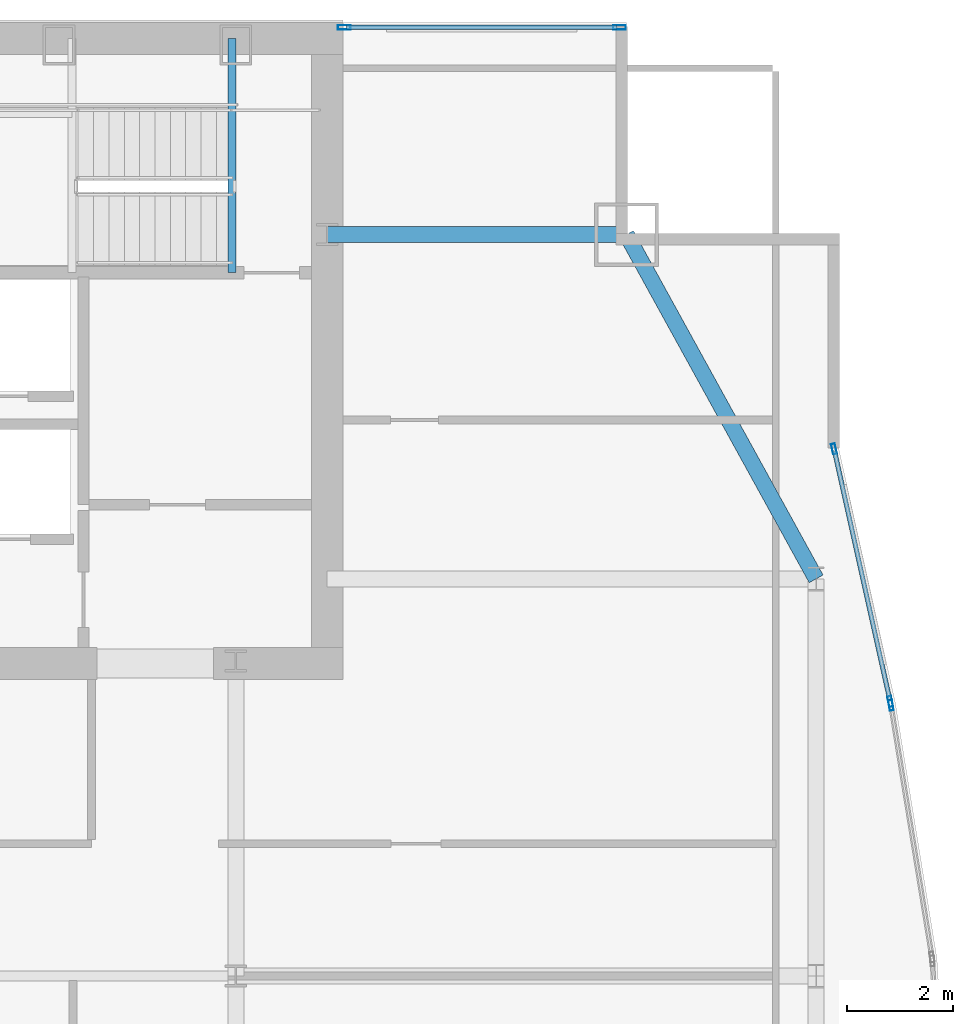
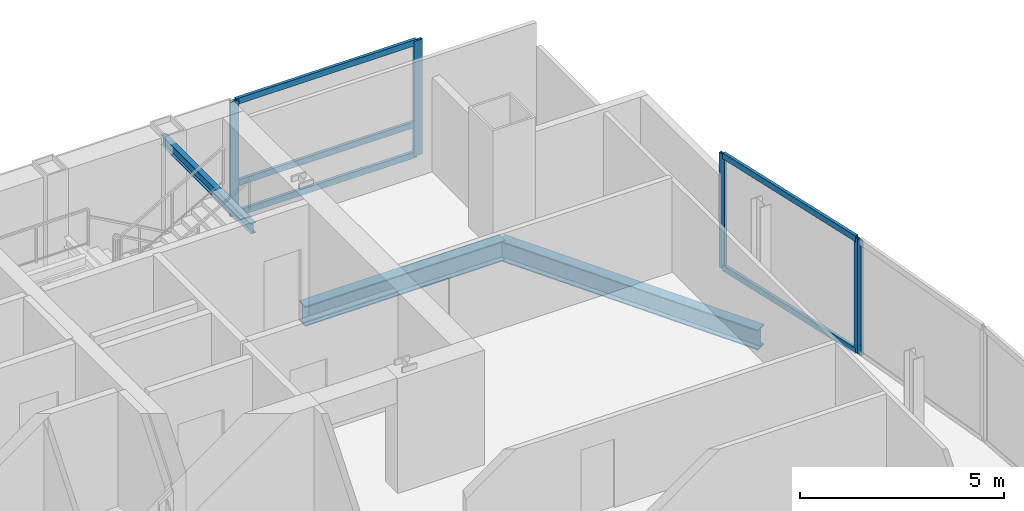
# One storey, part 23 of 30: 10 members, 3 beams, 3 elements without a shape of their own.
"""IFC4 building model written with IfcOpenShell, lengths in metres."""

from ifc_helpers import new_model, si_unit, direction, frame, origin, origin_2d, place, context, subcontext, project, spatial, hollow_rectangle, i_section, extrude, material, material_profile, profile_set, type_object, element, aggregate, save


model = new_model("IFC4")

# Units and contexts
model_context = context("Model", 3, precision=1e-05, world=origin(), true_north=direction((0.0, 1.0)))
body_context = subcontext(model_context, "Body", "Model", "MODEL_VIEW")
ifc_project = project(units=[si_unit("LENGTHUNIT", "METRE"), si_unit("AREAUNIT", "SQUARE_METRE"), si_unit("VOLUMEUNIT", "CUBIC_METRE"), si_unit("PLANEANGLEUNIT", "RADIAN"), si_unit("MASSUNIT", "GRAM", prefix="KILO")], contexts=[model_context])

# Site, building, storey
site_placement = place(None, origin())
site = spatial("IfcSite", under=ifc_project, at=site_placement, CompositionType="ELEMENT")
building_placement = place(site_placement, origin())
building = spatial("IfcBuilding", under=site, at=building_placement, Name="Khoronbel Lancet Exchange", CompositionType="ELEMENT")
storey_placement = place(building_placement, frame((0.0, 0.0, 213.800048828125)))
storey = spatial("IfcBuildingStorey", under=building, at=storey_placement, Name="L54", CompositionType="ELEMENT", Elevation=213.800048828125)

# Beams
ifc_material_1 = material(Name="Steel S355", Category="steel")
ifc_material_profile_1 = material_profile(ifc_material_1, i_section(OverallWidth=0.14990234375, OverallDepth=0.300048828125, WebThickness=0.007080078125, FlangeThickness=0.0107421875, at=origin_2d()), Name="IPE 300")
ifc_profile_set_1 = profile_set([ifc_material_profile_1], Name="Steel S355")
beam_type_1 = type_object("IfcBeamType", Name="BM-BJ8", PredefinedType="JOIST", material=ifc_profile_set_1)
beam_1_placement = place(storey_placement, frame((54.60009765625, 48.97998046875, 3.159912109375), z_axis=(0.0, 1.0, 0.0), x_axis=(-1.0, 0.0, 0.0)))
element("IfcBeam", 1, at=beam_1_placement, inside=storey, type_object=beam_type_1, Name="Level L54 stair ST2 upper-flight arrival trimmer beam", PredefinedType="JOIST", context=body_context, shape_type="SweptSolid", body=[
    extrude(i_section(OverallWidth=0.14990234375, OverallDepth=0.300048828125, WebThickness=0.007080078125, FlangeThickness=0.0107421875, at=origin_2d()), origin(), (0.0, 0.0, 1.0), 4.419921875),
])
ifc_material_profile_2 = material_profile(ifc_material_1, i_section(OverallWidth=0.300048828125, OverallDepth=0.60009765625, WebThickness=0.015380859375, FlangeThickness=0.030029296875, at=origin_2d()), Name="HEB 600")
ifc_profile_set_2 = profile_set([ifc_material_profile_2], Name="Steel S355")
beam_type_2 = type_object("IfcBeamType", Name="BM-BSP2", PredefinedType="SPANDREL", material=ifc_profile_set_2)
beam_2_placement = place(storey_placement, frame((65.6298828125, 43.199951171875, -0.4599609375), z_axis=(-0.482418808117, 0.875940690672, 0.0), x_axis=(-0.875940690672, -0.482418808117, 0.0)))
element("IfcBeam", 2, at=beam_2_placement, inside=storey, type_object=beam_type_2, Name="Level L54 perimeter spandrel beam SP15", PredefinedType="SPANDREL", context=body_context, shape_type="SweptSolid", body=[
    extrude(i_section(OverallWidth=0.300048828125, OverallDepth=0.60009765625, WebThickness=0.015380859375, FlangeThickness=0.030029296875, at=origin_2d()), origin(), (0.0, 0.0, 1.0), 7.420654296875),
])
beam_3_placement = place(storey_placement, frame((62.050048828125, 49.699951171875, -0.4599609375), z_axis=(-1.0, 0.0, 0.0), x_axis=(0.0, -1.0, 0.0)))
element("IfcBeam", 3, at=beam_3_placement, inside=storey, type_object=beam_type_2, Name="Level L54 north flank tie spandrel SP23", PredefinedType="SPANDREL", context=body_context, shape_type="SweptSolid", body=[
    extrude(i_section(OverallWidth=0.300048828125, OverallDepth=0.60009765625, WebThickness=0.015380859375, FlangeThickness=0.030029296875, at=origin_2d()), origin(), (0.0, 0.0, 1.0), 5.650146484375),
])

# Curtain wall, members
ifc_material_2 = material(Name="Low-E Solar Control Insulating Glass", Category="glass")
curtain_wall_type_1 = type_object("IfcCurtainWallType", Name="CW-3", PredefinedType="NOTDEFINED", material=ifc_material_2)
curtain_wall_1_placement = place(storey_placement, origin())
curtain_wall_1 = element("IfcCurtainWall", 4, at=curtain_wall_1_placement, inside=storey, type_object=curtain_wall_type_1, Name="Unitised curtain wall CW-L54-NEFLK", PredefinedType="NOTDEFINED")
ifc_material_3 = material(Name="Bronze-Anodised Aluminium 6063-T6", Category="aluminium")
ifc_material_profile_3 = material_profile(ifc_material_3, hollow_rectangle(XDim=0.0849609375, YDim=0.239990234375, WallThickness=0.006103515625, at=origin_2d()), Name="ALU MULLION 85x240")
ifc_profile_set_3 = profile_set([ifc_material_profile_3], Name="Bronze-Anodised Aluminium 6063-T6")
member_type_1 = type_object("IfcMemberType", Name="MEM-CWM1", PredefinedType="MULLION", material=ifc_profile_set_3)
member_1_placement = place(storey_placement, frame((61.91748046875, 53.610107421875, 0.0), z_axis=(0.0, 0.0, 1.0), x_axis=(0.0, -1.0, 0.0)))
member_1 = element("IfcMember", 5, at=member_1_placement, type_object=member_type_1, Name="CW3 mullion 1", PredefinedType="MULLION", context=body_context, shape_type="SweptSolid", body=[
    extrude(hollow_rectangle(XDim=0.0849609375, YDim=0.239990234375, WallThickness=0.006103515625, at=origin_2d()), origin(), (0.0, 0.0, 1.0), 3.43994140625),
])
member_2_placement = place(storey_placement, frame((56.722412109375, 53.610107421875, 0.0), z_axis=(0.0, 0.0, 1.0), x_axis=(0.0, -1.0, 0.0)))
member_2 = element("IfcMember", 6, at=member_2_placement, type_object=member_type_1, Name="CW3 mullion 2", PredefinedType="MULLION", context=body_context, shape_type="SweptSolid", body=[
    extrude(hollow_rectangle(XDim=0.0849609375, YDim=0.239990234375, WallThickness=0.006103515625, at=origin_2d()), origin(), (0.0, 0.0, 1.0), 3.43994140625),
])

curtain_wall_type_2 = type_object("IfcCurtainWallType", Name="CW-4", PredefinedType="NOTDEFINED", material=ifc_material_2)
curtain_wall_2_placement = place(storey_placement, origin())
curtain_wall_2 = element("IfcCurtainWall", 7, at=curtain_wall_2_placement, inside=storey, type_object=curtain_wall_type_2, Name="Unitised curtain wall CW-L54-E17", PredefinedType="NOTDEFINED")
ifc_material_profile_4 = material_profile(ifc_material_3, hollow_rectangle(XDim=0.074951171875, YDim=0.199951171875, WallThickness=0.0048828125, at=origin_2d()), Name="ALU MULLION 75x200")
ifc_profile_set_4 = profile_set([ifc_material_profile_4], Name="Bronze-Anodised Aluminium 6063-T6")
member_type_2 = type_object("IfcMemberType", Name="MEM-CWM2", PredefinedType="MULLION", material=ifc_profile_set_4)
member_3_placement = place(storey_placement, frame((65.96826171875, 45.653564453125, 0.0), z_axis=(0.0, 0.0, 1.0), x_axis=(0.976146235114, 0.217114089072, 0.0)))
member_3 = element("IfcMember", 8, at=member_3_placement, type_object=member_type_2, Name="CW4 mullion 1", PredefinedType="MULLION", context=body_context, shape_type="SweptSolid", body=[
    extrude(hollow_rectangle(XDim=0.074951171875, YDim=0.199951171875, WallThickness=0.0048828125, at=origin_2d()), origin(), (0.0, 0.0, 1.0), 3.43994140625),
])
member_4_placement = place(storey_placement, frame((67.028564453125, 40.88623046875, 0.0), z_axis=(0.0, 0.0, 1.0), x_axis=(0.976146235114, 0.217114089072, 0.0)))
member_4 = element("IfcMember", 9, at=member_4_placement, type_object=member_type_2, Name="CW4 mullion 2", PredefinedType="MULLION", context=body_context, shape_type="SweptSolid", body=[
    extrude(hollow_rectangle(XDim=0.074951171875, YDim=0.199951171875, WallThickness=0.0048828125, at=origin_2d()), origin(), (0.0, 0.0, 1.0), 3.43994140625),
])

# Curtain wall, member
curtain_wall_3_placement = place(storey_placement, origin())
curtain_wall_3 = element("IfcCurtainWall", 10, at=curtain_wall_3_placement, inside=storey, type_object=curtain_wall_type_2, Name="Unitised curtain wall CW-L54-E18", PredefinedType="NOTDEFINED")
member_5_placement = place(storey_placement, frame((67.042724609375, 40.812744140625, 0.0), z_axis=(0.0, 0.0, 1.0), x_axis=(0.987003272186, 0.16070015773, 0.0)))
member_5 = element("IfcMember", 11, at=member_5_placement, type_object=member_type_2, Name="CW4 mullion 1", PredefinedType="MULLION", context=body_context, shape_type="SweptSolid", body=[
    extrude(hollow_rectangle(XDim=0.074951171875, YDim=0.199951171875, WallThickness=0.0048828125, at=origin_2d()), origin(), (0.0, 0.0, 1.0), 3.43994140625),
])
aggregate(curtain_wall_3, [member_5])

# Member
ifc_material_profile_5 = material_profile(ifc_material_3, hollow_rectangle(XDim=0.0849609375, YDim=0.179931640625, WallThickness=0.0048828125, at=origin_2d()), Name="ALU TRANSOM 85x180")
ifc_profile_set_5 = profile_set([ifc_material_profile_5], Name="Bronze-Anodised Aluminium 6063-T6")
member_type_3 = type_object("IfcMemberType", Name="MEM-CWT1", PredefinedType="USERDEFINED", material=ifc_profile_set_5)
member_6_placement = place(storey_placement, frame((61.875, 53.610107421875, 0.04248046875), z_axis=(-1.0, 0.0, 0.0), x_axis=(0.0, -1.0, 0.0)))
member_6 = element("IfcMember", 12, at=member_6_placement, type_object=member_type_3, Name="CW3 transom 1.1", ObjectType="TRANSOM", PredefinedType="USERDEFINED", context=body_context, shape_type="SweptSolid", body=[
    extrude(hollow_rectangle(XDim=0.0849609375, YDim=0.179931640625, WallThickness=0.0048828125, at=origin_2d()), origin(), (0.0, 0.0, 1.0), 5.110107421875),
])

member_7_placement = place(storey_placement, frame((61.875, 53.610107421875, 0.949951171875), z_axis=(-1.0, 0.0, 0.0), x_axis=(0.0, -1.0, 0.0)))
member_7 = element("IfcMember", 13, at=member_7_placement, type_object=member_type_3, Name="CW3 transom 1.2", ObjectType="TRANSOM", PredefinedType="USERDEFINED", context=body_context, shape_type="SweptSolid", body=[
    extrude(hollow_rectangle(XDim=0.0849609375, YDim=0.179931640625, WallThickness=0.0048828125, at=origin_2d()), origin(), (0.0, 0.0, 1.0), 5.110107421875),
])

member_8_placement = place(storey_placement, frame((61.875, 53.610107421875, 3.3974609375), z_axis=(-1.0, 0.0, 0.0), x_axis=(0.0, -1.0, 0.0)))
member_8 = element("IfcMember", 14, at=member_8_placement, type_object=member_type_3, Name="CW3 transom 1.3", ObjectType="TRANSOM", PredefinedType="USERDEFINED", context=body_context, shape_type="SweptSolid", body=[
    extrude(hollow_rectangle(XDim=0.0849609375, YDim=0.179931640625, WallThickness=0.0048828125, at=origin_2d()), origin(), (0.0, 0.0, 1.0), 5.110107421875),
])

aggregate(curtain_wall_1, [member_1, member_2, member_6, member_7, member_8])

member_9_placement = place(storey_placement, frame((65.976318359375, 45.616943359375, 0.04248046875), z_axis=(0.217091723679, -0.976151209347, 0.0), x_axis=(0.976151209347, 0.217091723679, 0.0)))
member_9 = element("IfcMember", 15, at=member_9_placement, type_object=member_type_3, Name="CW4 transom 1.1", ObjectType="TRANSOM", PredefinedType="USERDEFINED", context=body_context, shape_type="SweptSolid", body=[
    extrude(hollow_rectangle(XDim=0.0849609375, YDim=0.179931640625, WallThickness=0.0048828125, at=origin_2d()), origin(), (0.0, 0.0, 1.0), 4.808837890625),
])

member_10_placement = place(storey_placement, frame((65.976318359375, 45.616943359375, 3.3974609375), z_axis=(0.217091723679, -0.976151209347, 0.0), x_axis=(0.976151209347, 0.217091723679, 0.0)))
member_10 = element("IfcMember", 16, at=member_10_placement, type_object=member_type_3, Name="CW4 transom 1.2", ObjectType="TRANSOM", PredefinedType="USERDEFINED", context=body_context, shape_type="SweptSolid", body=[
    extrude(hollow_rectangle(XDim=0.0849609375, YDim=0.179931640625, WallThickness=0.0048828125, at=origin_2d()), origin(), (0.0, 0.0, 1.0), 4.808837890625),
])

aggregate(curtain_wall_2, [member_3, member_4, member_9, member_10])

save(model, "model.ifc")
